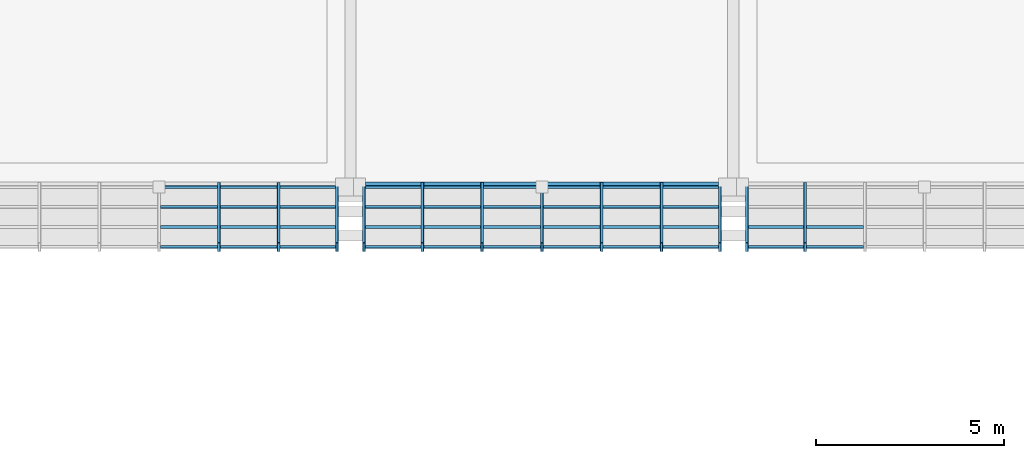
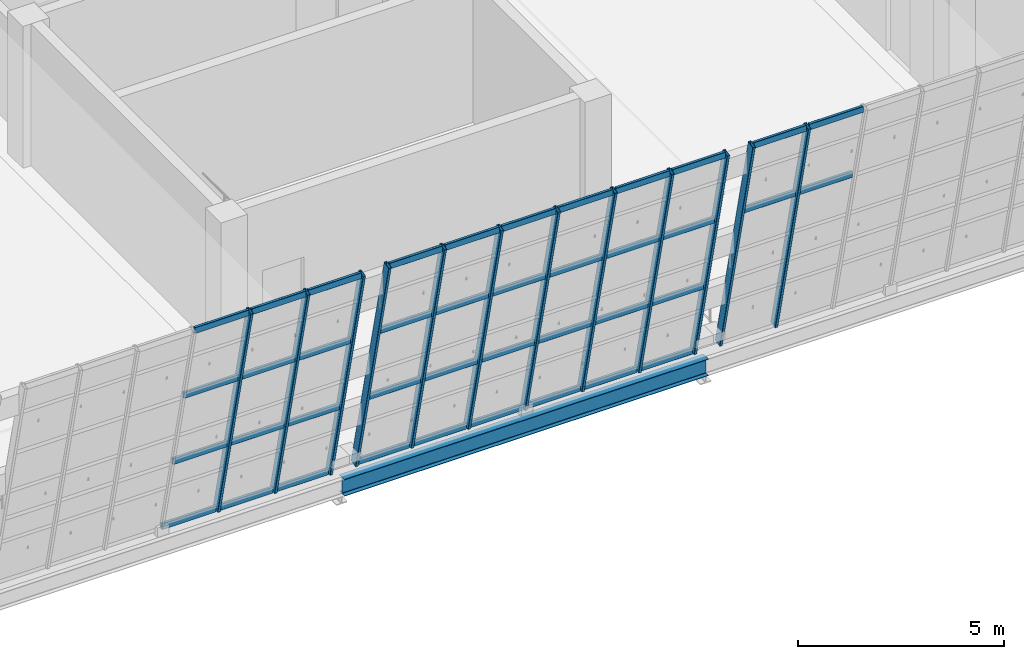
# One storey, part 63 of 157: 52 members, 1 beam, 3 elements without a shape of their own.
"""IFC4 building model written with IfcOpenShell, lengths in metres."""

from ifc_helpers import new_model, si_unit, direction, frame, origin, origin_2d, place, context, subcontext, project, spatial, hollow_rectangle, i_section, extrude, material, material_profile, profile_set, type_object, element, aggregate, save


model = new_model("IFC4")

# Units and contexts
model_context = context("Model", 3, precision=1e-05, world=origin(), true_north=direction((0.0, 1.0)))
body_context = subcontext(model_context, "Body", "Model", "MODEL_VIEW")
ifc_project = project(units=[si_unit("LENGTHUNIT", "METRE"), si_unit("AREAUNIT", "SQUARE_METRE"), si_unit("VOLUMEUNIT", "CUBIC_METRE"), si_unit("PLANEANGLEUNIT", "RADIAN"), si_unit("MASSUNIT", "GRAM", prefix="KILO")], contexts=[model_context])

# Site, building, storey
site_placement = place(None, origin())
site = spatial("IfcSite", under=ifc_project, at=site_placement, CompositionType="ELEMENT")
building_placement = place(site_placement, origin())
building = spatial("IfcBuilding", under=site, at=building_placement, Name="Brelvane Convention Centre", CompositionType="ELEMENT")
storey_placement = place(building_placement, frame((0.0, 0.0, 10.800048828125)))
storey = spatial("IfcBuildingStorey", under=building, at=storey_placement, Name="L02", CompositionType="ELEMENT", Elevation=10.800048828125)

# Curtain wall, members
ifc_material_1 = material(Name="Anodised Aluminium Alloy 6063-T6", Category="aluminium")
curtain_wall_type = type_object("IfcCurtainWallType", Name="Curtain Wall CW-HULL-S", PredefinedType="USERDEFINED", material=ifc_material_1)
curtain_wall_1_placement = place(storey_placement, origin())
curtain_wall_1 = element("IfcCurtainWall", 1, at=curtain_wall_1_placement, inside=storey, type_object=curtain_wall_type, Name="Curtain Wall CW-HULL-S L02-HULL-S-L02-19", ObjectType="UNITISED", PredefinedType="USERDEFINED")
ifc_material_2 = material(Name="Anodised Aluminium Alloy 6063-T6", Category="aluminium")
ifc_material_profile_1 = material_profile(ifc_material_2, hollow_rectangle(XDim=0.080078125, YDim=0.239990234375, WallThickness=0.006103515625, InnerFilletRadius=0.006103515625, OuterFilletRadius=0.011962890625, at=origin_2d()), Name="ALU-M 240x80x6.0")
ifc_profile_set_1 = profile_set([ifc_material_profile_1], Name="Anodised Aluminium Alloy 6063-T6")
member_type_1 = type_object("IfcMemberType", Name="Curtain Mullion CW-M1", PredefinedType="MULLION", material=ifc_profile_set_1)
member_1_placement = place(storey_placement, frame((190.293212890625, 13.60009765625, 0.0), z_axis=(0.0, -0.228360410362, 0.973576665178), x_axis=(1.0, 0.0, 0.0)))
member_1 = element("IfcMember", 2, at=member_1_placement, type_object=member_type_1, Name="CW-HULL-S mullion 5", PredefinedType="MULLION", context=body_context, shape_type="SweptSolid", body=[
    extrude(hollow_rectangle(XDim=0.080078125, YDim=0.239990234375, WallThickness=0.006103515625, InnerFilletRadius=0.006103515625, OuterFilletRadius=0.011962890625, at=origin_2d()), origin(), (0.0, 0.0, 1.0), 7.03564453125),
])
member_2_placement = place(storey_placement, frame((191.88671875, 13.60009765625, 0.0), z_axis=(0.0, -0.228360410362, 0.973576665178), x_axis=(1.0, 0.0, 0.0)))
member_2 = element("IfcMember", 3, at=member_2_placement, type_object=member_type_1, Name="CW-HULL-S mullion 6", PredefinedType="MULLION", context=body_context, shape_type="SweptSolid", body=[
    extrude(hollow_rectangle(XDim=0.080078125, YDim=0.239990234375, WallThickness=0.006103515625, InnerFilletRadius=0.006103515625, OuterFilletRadius=0.011962890625, at=origin_2d()), origin(), (0.0, 0.0, 1.0), 7.03564453125),
])
member_3_placement = place(storey_placement, frame((193.43994140625, 13.60009765625, 0.0), z_axis=(0.0, -0.228360410362, 0.973576665178), x_axis=(1.0, 0.0, 0.0)))
member_3 = element("IfcMember", 4, at=member_3_placement, type_object=member_type_1, Name="CW-HULL-S mullion 7", PredefinedType="MULLION", context=body_context, shape_type="SweptSolid", body=[
    extrude(hollow_rectangle(XDim=0.080078125, YDim=0.239990234375, WallThickness=0.006103515625, InnerFilletRadius=0.006103515625, OuterFilletRadius=0.011962890625, at=origin_2d()), origin(), (0.0, 0.0, 1.0), 7.03564453125),
])

curtain_wall_2_placement = place(storey_placement, origin())
curtain_wall_2 = element("IfcCurtainWall", 5, at=curtain_wall_2_placement, inside=storey, type_object=curtain_wall_type, Name="Curtain Wall CW-HULL-S L02-HULL-S-L02-20", ObjectType="UNITISED", PredefinedType="USERDEFINED")
member_4_placement = place(storey_placement, frame((194.159912109375, 13.60009765625, 0.0), z_axis=(0.0, -0.228360410362, 0.973576665178), x_axis=(1.0, 0.0, 0.0)))
member_4 = element("IfcMember", 6, at=member_4_placement, type_object=member_type_1, Name="CW-HULL-S mullion 1", PredefinedType="MULLION", context=body_context, shape_type="SweptSolid", body=[
    extrude(hollow_rectangle(XDim=0.080078125, YDim=0.239990234375, WallThickness=0.006103515625, InnerFilletRadius=0.006103515625, OuterFilletRadius=0.011962890625, at=origin_2d()), origin(), (0.0, 0.0, 1.0), 7.03564453125),
])
member_5_placement = place(storey_placement, frame((195.71337890625, 13.60009765625, 0.0), z_axis=(0.0, -0.228360410362, 0.973576665178), x_axis=(1.0, 0.0, 0.0)))
member_5 = element("IfcMember", 7, at=member_5_placement, type_object=member_type_1, Name="CW-HULL-S mullion 2", PredefinedType="MULLION", context=body_context, shape_type="SweptSolid", body=[
    extrude(hollow_rectangle(XDim=0.080078125, YDim=0.239990234375, WallThickness=0.006103515625, InnerFilletRadius=0.006103515625, OuterFilletRadius=0.011962890625, at=origin_2d()), origin(), (0.0, 0.0, 1.0), 7.03564453125),
])
member_6_placement = place(storey_placement, frame((197.306640625, 13.60009765625, 0.0), z_axis=(0.0, -0.228360410362, 0.973576665178), x_axis=(1.0, 0.0, 0.0)))
member_6 = element("IfcMember", 8, at=member_6_placement, type_object=member_type_1, Name="CW-HULL-S mullion 3", PredefinedType="MULLION", context=body_context, shape_type="SweptSolid", body=[
    extrude(hollow_rectangle(XDim=0.080078125, YDim=0.239990234375, WallThickness=0.006103515625, InnerFilletRadius=0.006103515625, OuterFilletRadius=0.011962890625, at=origin_2d()), origin(), (0.0, 0.0, 1.0), 7.03564453125),
])
member_7_placement = place(storey_placement, frame((198.89990234375, 13.60009765625, 0.0), z_axis=(0.0, -0.228360410362, 0.973576665178), x_axis=(1.0, 0.0, 0.0)))
member_7 = element("IfcMember", 9, at=member_7_placement, type_object=member_type_1, Name="CW-HULL-S mullion 4", PredefinedType="MULLION", context=body_context, shape_type="SweptSolid", body=[
    extrude(hollow_rectangle(XDim=0.080078125, YDim=0.239990234375, WallThickness=0.006103515625, InnerFilletRadius=0.006103515625, OuterFilletRadius=0.011962890625, at=origin_2d()), origin(), (0.0, 0.0, 1.0), 7.03564453125),
])
member_8_placement = place(storey_placement, frame((200.493408203125, 13.60009765625, 0.0), z_axis=(0.0, -0.228360410362, 0.973576665178), x_axis=(1.0, 0.0, 0.0)))
member_8 = element("IfcMember", 10, at=member_8_placement, type_object=member_type_1, Name="CW-HULL-S mullion 5", PredefinedType="MULLION", context=body_context, shape_type="SweptSolid", body=[
    extrude(hollow_rectangle(XDim=0.080078125, YDim=0.239990234375, WallThickness=0.006103515625, InnerFilletRadius=0.006103515625, OuterFilletRadius=0.011962890625, at=origin_2d()), origin(), (0.0, 0.0, 1.0), 7.03564453125),
])
member_9_placement = place(storey_placement, frame((202.086669921875, 13.60009765625, 0.0), z_axis=(0.0, -0.228360410362, 0.973576665178), x_axis=(1.0, 0.0, 0.0)))
member_9 = element("IfcMember", 11, at=member_9_placement, type_object=member_type_1, Name="CW-HULL-S mullion 6", PredefinedType="MULLION", context=body_context, shape_type="SweptSolid", body=[
    extrude(hollow_rectangle(XDim=0.080078125, YDim=0.239990234375, WallThickness=0.006103515625, InnerFilletRadius=0.006103515625, OuterFilletRadius=0.011962890625, at=origin_2d()), origin(), (0.0, 0.0, 1.0), 7.03564453125),
])
member_10_placement = place(storey_placement, frame((203.639892578125, 13.60009765625, 0.0), z_axis=(0.0, -0.228360410362, 0.973576665178), x_axis=(1.0, 0.0, 0.0)))
member_10 = element("IfcMember", 12, at=member_10_placement, type_object=member_type_1, Name="CW-HULL-S mullion 7", PredefinedType="MULLION", context=body_context, shape_type="SweptSolid", body=[
    extrude(hollow_rectangle(XDim=0.080078125, YDim=0.239990234375, WallThickness=0.006103515625, InnerFilletRadius=0.006103515625, OuterFilletRadius=0.011962890625, at=origin_2d()), origin(), (0.0, 0.0, 1.0), 7.03564453125),
])

curtain_wall_3_placement = place(storey_placement, origin())
curtain_wall_3 = element("IfcCurtainWall", 13, at=curtain_wall_3_placement, inside=storey, type_object=curtain_wall_type, Name="Curtain Wall CW-HULL-S L02-HULL-S-L02-21", ObjectType="UNITISED", PredefinedType="USERDEFINED")
member_11_placement = place(storey_placement, frame((204.360107421875, 13.60009765625, 0.0), z_axis=(0.0, -0.228360410362, 0.973576665178), x_axis=(1.0, 0.0, 0.0)))
member_11 = element("IfcMember", 14, at=member_11_placement, type_object=member_type_1, Name="CW-HULL-S mullion 1", PredefinedType="MULLION", context=body_context, shape_type="SweptSolid", body=[
    extrude(hollow_rectangle(XDim=0.080078125, YDim=0.239990234375, WallThickness=0.006103515625, InnerFilletRadius=0.006103515625, OuterFilletRadius=0.011962890625, at=origin_2d()), origin(), (0.0, 0.0, 1.0), 7.03564453125),
])
member_12_placement = place(storey_placement, frame((205.913330078125, 13.60009765625, 0.0), z_axis=(0.0, -0.228360410362, 0.973576665178), x_axis=(1.0, 0.0, 0.0)))
member_12 = element("IfcMember", 15, at=member_12_placement, type_object=member_type_1, Name="CW-HULL-S mullion 2", PredefinedType="MULLION", context=body_context, shape_type="SweptSolid", body=[
    extrude(hollow_rectangle(XDim=0.080078125, YDim=0.239990234375, WallThickness=0.006103515625, InnerFilletRadius=0.006103515625, OuterFilletRadius=0.011962890625, at=origin_2d()), origin(), (0.0, 0.0, 1.0), 7.03564453125),
])

# Member
ifc_material_3 = material(Name="Anodised Aluminium Alloy 6063-T6", Category="aluminium")
ifc_material_profile_2 = material_profile(ifc_material_3, hollow_rectangle(XDim=0.080078125, YDim=0.179931640625, WallThickness=0.0048828125, InnerFilletRadius=0.0048828125, OuterFilletRadius=0.010009765625, at=origin_2d()), Name="ALU-T 180x80x5.0")
ifc_profile_set_2 = profile_set([ifc_material_profile_2], Name="Anodised Aluminium Alloy 6063-T6")
member_type_2 = type_object("IfcMemberType", Name="Curtain Transom CW-T1", PredefinedType="USERDEFINED", material=ifc_profile_set_2)
member_13_placement = place(storey_placement, frame((188.739990234375, 13.590576171875, 0.0400390625), z_axis=(1.0, 0.0, 0.0), x_axis=(0.0, 1.0, 0.0)))
member_13 = element("IfcMember", 16, at=member_13_placement, type_object=member_type_2, Name="CW-HULL-S transom 4.1", ObjectType="TRANSOM", PredefinedType="USERDEFINED", context=body_context, shape_type="SweptSolid", body=[
    extrude(hollow_rectangle(XDim=0.080078125, YDim=0.179931640625, WallThickness=0.0048828125, InnerFilletRadius=0.0048828125, OuterFilletRadius=0.010009765625, at=origin_2d()), origin(), (0.0, 0.0, 1.0), 1.513427734375),
])

member_14_placement = place(storey_placement, frame((188.739990234375, 13.064453125, 2.283203125), z_axis=(1.0, 0.0, 0.0), x_axis=(0.0, 1.0, 0.0)))
member_14 = element("IfcMember", 17, at=member_14_placement, type_object=member_type_2, Name="CW-HULL-S transom 4.2", ObjectType="TRANSOM", PredefinedType="USERDEFINED", context=body_context, shape_type="SweptSolid", body=[
    extrude(hollow_rectangle(XDim=0.080078125, YDim=0.179931640625, WallThickness=0.0048828125, InnerFilletRadius=0.0048828125, OuterFilletRadius=0.010009765625, at=origin_2d()), origin(), (0.0, 0.0, 1.0), 1.513427734375),
])

member_15_placement = place(storey_placement, frame((188.739990234375, 12.52880859375, 4.566650390625), z_axis=(1.0, 0.0, 0.0), x_axis=(0.0, 1.0, 0.0)))
member_15 = element("IfcMember", 18, at=member_15_placement, type_object=member_type_2, Name="CW-HULL-S transom 4.3", ObjectType="TRANSOM", PredefinedType="USERDEFINED", context=body_context, shape_type="SweptSolid", body=[
    extrude(hollow_rectangle(XDim=0.080078125, YDim=0.179931640625, WallThickness=0.0048828125, InnerFilletRadius=0.0048828125, OuterFilletRadius=0.010009765625, at=origin_2d()), origin(), (0.0, 0.0, 1.0), 1.513427734375),
])

member_16_placement = place(storey_placement, frame((188.739990234375, 12.002685546875, 6.81005859375), z_axis=(1.0, 0.0, 0.0), x_axis=(0.0, 1.0, 0.0)))
member_16 = element("IfcMember", 19, at=member_16_placement, type_object=member_type_2, Name="CW-HULL-S transom 4.4", ObjectType="TRANSOM", PredefinedType="USERDEFINED", context=body_context, shape_type="SweptSolid", body=[
    extrude(hollow_rectangle(XDim=0.080078125, YDim=0.179931640625, WallThickness=0.0048828125, InnerFilletRadius=0.0048828125, OuterFilletRadius=0.010009765625, at=origin_2d()), origin(), (0.0, 0.0, 1.0), 1.513427734375),
])

member_17_placement = place(storey_placement, frame((190.333251953125, 13.590576171875, 0.0400390625), z_axis=(1.0, 0.0, 0.0), x_axis=(0.0, 1.0, 0.0)))
member_17 = element("IfcMember", 20, at=member_17_placement, type_object=member_type_2, Name="CW-HULL-S transom 5.1", ObjectType="TRANSOM", PredefinedType="USERDEFINED", context=body_context, shape_type="SweptSolid", body=[
    extrude(hollow_rectangle(XDim=0.080078125, YDim=0.179931640625, WallThickness=0.0048828125, InnerFilletRadius=0.0048828125, OuterFilletRadius=0.010009765625, at=origin_2d()), origin(), (0.0, 0.0, 1.0), 1.513427734375),
])

member_18_placement = place(storey_placement, frame((190.333251953125, 13.064453125, 2.283203125), z_axis=(1.0, 0.0, 0.0), x_axis=(0.0, 1.0, 0.0)))
member_18 = element("IfcMember", 21, at=member_18_placement, type_object=member_type_2, Name="CW-HULL-S transom 5.2", ObjectType="TRANSOM", PredefinedType="USERDEFINED", context=body_context, shape_type="SweptSolid", body=[
    extrude(hollow_rectangle(XDim=0.080078125, YDim=0.179931640625, WallThickness=0.0048828125, InnerFilletRadius=0.0048828125, OuterFilletRadius=0.010009765625, at=origin_2d()), origin(), (0.0, 0.0, 1.0), 1.513427734375),
])

member_19_placement = place(storey_placement, frame((190.333251953125, 12.52880859375, 4.566650390625), z_axis=(1.0, 0.0, 0.0), x_axis=(0.0, 1.0, 0.0)))
member_19 = element("IfcMember", 22, at=member_19_placement, type_object=member_type_2, Name="CW-HULL-S transom 5.3", ObjectType="TRANSOM", PredefinedType="USERDEFINED", context=body_context, shape_type="SweptSolid", body=[
    extrude(hollow_rectangle(XDim=0.080078125, YDim=0.179931640625, WallThickness=0.0048828125, InnerFilletRadius=0.0048828125, OuterFilletRadius=0.010009765625, at=origin_2d()), origin(), (0.0, 0.0, 1.0), 1.513427734375),
])

member_20_placement = place(storey_placement, frame((190.333251953125, 12.002685546875, 6.81005859375), z_axis=(1.0, 0.0, 0.0), x_axis=(0.0, 1.0, 0.0)))
member_20 = element("IfcMember", 23, at=member_20_placement, type_object=member_type_2, Name="CW-HULL-S transom 5.4", ObjectType="TRANSOM", PredefinedType="USERDEFINED", context=body_context, shape_type="SweptSolid", body=[
    extrude(hollow_rectangle(XDim=0.080078125, YDim=0.179931640625, WallThickness=0.0048828125, InnerFilletRadius=0.0048828125, OuterFilletRadius=0.010009765625, at=origin_2d()), origin(), (0.0, 0.0, 1.0), 1.513427734375),
])

member_21_placement = place(storey_placement, frame((191.9267578125, 13.590576171875, 0.0400390625), z_axis=(1.0, 0.0, 0.0), x_axis=(0.0, 1.0, 0.0)))
member_21 = element("IfcMember", 24, at=member_21_placement, type_object=member_type_2, Name="CW-HULL-S transom 6.1", ObjectType="TRANSOM", PredefinedType="USERDEFINED", context=body_context, shape_type="SweptSolid", body=[
    extrude(hollow_rectangle(XDim=0.080078125, YDim=0.179931640625, WallThickness=0.0048828125, InnerFilletRadius=0.0048828125, OuterFilletRadius=0.010009765625, at=origin_2d()), origin(), (0.0, 0.0, 1.0), 1.47314453125),
])

member_22_placement = place(storey_placement, frame((191.9267578125, 13.064453125, 2.283203125), z_axis=(1.0, 0.0, 0.0), x_axis=(0.0, 1.0, 0.0)))
member_22 = element("IfcMember", 25, at=member_22_placement, type_object=member_type_2, Name="CW-HULL-S transom 6.2", ObjectType="TRANSOM", PredefinedType="USERDEFINED", context=body_context, shape_type="SweptSolid", body=[
    extrude(hollow_rectangle(XDim=0.080078125, YDim=0.179931640625, WallThickness=0.0048828125, InnerFilletRadius=0.0048828125, OuterFilletRadius=0.010009765625, at=origin_2d()), origin(), (0.0, 0.0, 1.0), 1.47314453125),
])

member_23_placement = place(storey_placement, frame((191.9267578125, 12.52880859375, 4.566650390625), z_axis=(1.0, 0.0, 0.0), x_axis=(0.0, 1.0, 0.0)))
member_23 = element("IfcMember", 26, at=member_23_placement, type_object=member_type_2, Name="CW-HULL-S transom 6.3", ObjectType="TRANSOM", PredefinedType="USERDEFINED", context=body_context, shape_type="SweptSolid", body=[
    extrude(hollow_rectangle(XDim=0.080078125, YDim=0.179931640625, WallThickness=0.0048828125, InnerFilletRadius=0.0048828125, OuterFilletRadius=0.010009765625, at=origin_2d()), origin(), (0.0, 0.0, 1.0), 1.47314453125),
])

member_24_placement = place(storey_placement, frame((191.9267578125, 12.002685546875, 6.81005859375), z_axis=(1.0, 0.0, 0.0), x_axis=(0.0, 1.0, 0.0)))
member_24 = element("IfcMember", 27, at=member_24_placement, type_object=member_type_2, Name="CW-HULL-S transom 6.4", ObjectType="TRANSOM", PredefinedType="USERDEFINED", context=body_context, shape_type="SweptSolid", body=[
    extrude(hollow_rectangle(XDim=0.080078125, YDim=0.179931640625, WallThickness=0.0048828125, InnerFilletRadius=0.0048828125, OuterFilletRadius=0.010009765625, at=origin_2d()), origin(), (0.0, 0.0, 1.0), 1.47314453125),
])

aggregate(curtain_wall_1, [member_1, member_2, member_3, member_13, member_14, member_15, member_16, member_17, member_18, member_19, member_20, member_21, member_22, member_23, member_24])

member_25_placement = place(storey_placement, frame((194.199951171875, 13.590576171875, 0.0400390625), z_axis=(1.0, 0.0, 0.0), x_axis=(0.0, 1.0, 0.0)))
member_25 = element("IfcMember", 28, at=member_25_placement, type_object=member_type_2, Name="CW-HULL-S transom 1.1", ObjectType="TRANSOM", PredefinedType="USERDEFINED", context=body_context, shape_type="SweptSolid", body=[
    extrude(hollow_rectangle(XDim=0.080078125, YDim=0.179931640625, WallThickness=0.0048828125, InnerFilletRadius=0.0048828125, OuterFilletRadius=0.010009765625, at=origin_2d()), origin(), (0.0, 0.0, 1.0), 1.473388671875),
])

member_26_placement = place(storey_placement, frame((194.199951171875, 13.064453125, 2.283203125), z_axis=(1.0, 0.0, 0.0), x_axis=(0.0, 1.0, 0.0)))
member_26 = element("IfcMember", 29, at=member_26_placement, type_object=member_type_2, Name="CW-HULL-S transom 1.2", ObjectType="TRANSOM", PredefinedType="USERDEFINED", context=body_context, shape_type="SweptSolid", body=[
    extrude(hollow_rectangle(XDim=0.080078125, YDim=0.179931640625, WallThickness=0.0048828125, InnerFilletRadius=0.0048828125, OuterFilletRadius=0.010009765625, at=origin_2d()), origin(), (0.0, 0.0, 1.0), 1.473388671875),
])

member_27_placement = place(storey_placement, frame((194.199951171875, 12.52880859375, 4.566650390625), z_axis=(1.0, 0.0, 0.0), x_axis=(0.0, 1.0, 0.0)))
member_27 = element("IfcMember", 30, at=member_27_placement, type_object=member_type_2, Name="CW-HULL-S transom 1.3", ObjectType="TRANSOM", PredefinedType="USERDEFINED", context=body_context, shape_type="SweptSolid", body=[
    extrude(hollow_rectangle(XDim=0.080078125, YDim=0.179931640625, WallThickness=0.0048828125, InnerFilletRadius=0.0048828125, OuterFilletRadius=0.010009765625, at=origin_2d()), origin(), (0.0, 0.0, 1.0), 1.473388671875),
])

member_28_placement = place(storey_placement, frame((194.199951171875, 12.002685546875, 6.81005859375), z_axis=(1.0, 0.0, 0.0), x_axis=(0.0, 1.0, 0.0)))
member_28 = element("IfcMember", 31, at=member_28_placement, type_object=member_type_2, Name="CW-HULL-S transom 1.4", ObjectType="TRANSOM", PredefinedType="USERDEFINED", context=body_context, shape_type="SweptSolid", body=[
    extrude(hollow_rectangle(XDim=0.080078125, YDim=0.179931640625, WallThickness=0.0048828125, InnerFilletRadius=0.0048828125, OuterFilletRadius=0.010009765625, at=origin_2d()), origin(), (0.0, 0.0, 1.0), 1.473388671875),
])

member_29_placement = place(storey_placement, frame((195.75341796875, 13.590576171875, 0.0400390625), z_axis=(1.0, 0.0, 0.0), x_axis=(0.0, 1.0, 0.0)))
member_29 = element("IfcMember", 32, at=member_29_placement, type_object=member_type_2, Name="CW-HULL-S transom 2.1", ObjectType="TRANSOM", PredefinedType="USERDEFINED", context=body_context, shape_type="SweptSolid", body=[
    extrude(hollow_rectangle(XDim=0.080078125, YDim=0.179931640625, WallThickness=0.0048828125, InnerFilletRadius=0.0048828125, OuterFilletRadius=0.010009765625, at=origin_2d()), origin(), (0.0, 0.0, 1.0), 1.51318359375),
])

member_30_placement = place(storey_placement, frame((195.75341796875, 13.064453125, 2.283203125), z_axis=(1.0, 0.0, 0.0), x_axis=(0.0, 1.0, 0.0)))
member_30 = element("IfcMember", 33, at=member_30_placement, type_object=member_type_2, Name="CW-HULL-S transom 2.2", ObjectType="TRANSOM", PredefinedType="USERDEFINED", context=body_context, shape_type="SweptSolid", body=[
    extrude(hollow_rectangle(XDim=0.080078125, YDim=0.179931640625, WallThickness=0.0048828125, InnerFilletRadius=0.0048828125, OuterFilletRadius=0.010009765625, at=origin_2d()), origin(), (0.0, 0.0, 1.0), 1.51318359375),
])

member_31_placement = place(storey_placement, frame((195.75341796875, 12.52880859375, 4.566650390625), z_axis=(1.0, 0.0, 0.0), x_axis=(0.0, 1.0, 0.0)))
member_31 = element("IfcMember", 34, at=member_31_placement, type_object=member_type_2, Name="CW-HULL-S transom 2.3", ObjectType="TRANSOM", PredefinedType="USERDEFINED", context=body_context, shape_type="SweptSolid", body=[
    extrude(hollow_rectangle(XDim=0.080078125, YDim=0.179931640625, WallThickness=0.0048828125, InnerFilletRadius=0.0048828125, OuterFilletRadius=0.010009765625, at=origin_2d()), origin(), (0.0, 0.0, 1.0), 1.51318359375),
])

member_32_placement = place(storey_placement, frame((195.75341796875, 12.002685546875, 6.81005859375), z_axis=(1.0, 0.0, 0.0), x_axis=(0.0, 1.0, 0.0)))
member_32 = element("IfcMember", 35, at=member_32_placement, type_object=member_type_2, Name="CW-HULL-S transom 2.4", ObjectType="TRANSOM", PredefinedType="USERDEFINED", context=body_context, shape_type="SweptSolid", body=[
    extrude(hollow_rectangle(XDim=0.080078125, YDim=0.179931640625, WallThickness=0.0048828125, InnerFilletRadius=0.0048828125, OuterFilletRadius=0.010009765625, at=origin_2d()), origin(), (0.0, 0.0, 1.0), 1.51318359375),
])

member_33_placement = place(storey_placement, frame((197.3466796875, 13.590576171875, 0.0400390625), z_axis=(1.0, 0.0, 0.0), x_axis=(0.0, 1.0, 0.0)))
member_33 = element("IfcMember", 36, at=member_33_placement, type_object=member_type_2, Name="CW-HULL-S transom 3.1", ObjectType="TRANSOM", PredefinedType="USERDEFINED", context=body_context, shape_type="SweptSolid", body=[
    extrude(hollow_rectangle(XDim=0.080078125, YDim=0.179931640625, WallThickness=0.0048828125, InnerFilletRadius=0.0048828125, OuterFilletRadius=0.010009765625, at=origin_2d()), origin(), (0.0, 0.0, 1.0), 1.513427734375),
])

member_34_placement = place(storey_placement, frame((197.3466796875, 13.064453125, 2.283203125), z_axis=(1.0, 0.0, 0.0), x_axis=(0.0, 1.0, 0.0)))
member_34 = element("IfcMember", 37, at=member_34_placement, type_object=member_type_2, Name="CW-HULL-S transom 3.2", ObjectType="TRANSOM", PredefinedType="USERDEFINED", context=body_context, shape_type="SweptSolid", body=[
    extrude(hollow_rectangle(XDim=0.080078125, YDim=0.179931640625, WallThickness=0.0048828125, InnerFilletRadius=0.0048828125, OuterFilletRadius=0.010009765625, at=origin_2d()), origin(), (0.0, 0.0, 1.0), 1.513427734375),
])

member_35_placement = place(storey_placement, frame((197.3466796875, 12.52880859375, 4.566650390625), z_axis=(1.0, 0.0, 0.0), x_axis=(0.0, 1.0, 0.0)))
member_35 = element("IfcMember", 38, at=member_35_placement, type_object=member_type_2, Name="CW-HULL-S transom 3.3", ObjectType="TRANSOM", PredefinedType="USERDEFINED", context=body_context, shape_type="SweptSolid", body=[
    extrude(hollow_rectangle(XDim=0.080078125, YDim=0.179931640625, WallThickness=0.0048828125, InnerFilletRadius=0.0048828125, OuterFilletRadius=0.010009765625, at=origin_2d()), origin(), (0.0, 0.0, 1.0), 1.513427734375),
])

member_36_placement = place(storey_placement, frame((197.3466796875, 12.002685546875, 6.81005859375), z_axis=(1.0, 0.0, 0.0), x_axis=(0.0, 1.0, 0.0)))
member_36 = element("IfcMember", 39, at=member_36_placement, type_object=member_type_2, Name="CW-HULL-S transom 3.4", ObjectType="TRANSOM", PredefinedType="USERDEFINED", context=body_context, shape_type="SweptSolid", body=[
    extrude(hollow_rectangle(XDim=0.080078125, YDim=0.179931640625, WallThickness=0.0048828125, InnerFilletRadius=0.0048828125, OuterFilletRadius=0.010009765625, at=origin_2d()), origin(), (0.0, 0.0, 1.0), 1.513427734375),
])

member_37_placement = place(storey_placement, frame((198.93994140625, 13.590576171875, 0.0400390625), z_axis=(1.0, 0.0, 0.0), x_axis=(0.0, 1.0, 0.0)))
member_37 = element("IfcMember", 40, at=member_37_placement, type_object=member_type_2, Name="CW-HULL-S transom 4.1", ObjectType="TRANSOM", PredefinedType="USERDEFINED", context=body_context, shape_type="SweptSolid", body=[
    extrude(hollow_rectangle(XDim=0.080078125, YDim=0.179931640625, WallThickness=0.0048828125, InnerFilletRadius=0.0048828125, OuterFilletRadius=0.010009765625, at=origin_2d()), origin(), (0.0, 0.0, 1.0), 1.513427734375),
])

member_38_placement = place(storey_placement, frame((198.93994140625, 13.064453125, 2.283203125), z_axis=(1.0, 0.0, 0.0), x_axis=(0.0, 1.0, 0.0)))
member_38 = element("IfcMember", 41, at=member_38_placement, type_object=member_type_2, Name="CW-HULL-S transom 4.2", ObjectType="TRANSOM", PredefinedType="USERDEFINED", context=body_context, shape_type="SweptSolid", body=[
    extrude(hollow_rectangle(XDim=0.080078125, YDim=0.179931640625, WallThickness=0.0048828125, InnerFilletRadius=0.0048828125, OuterFilletRadius=0.010009765625, at=origin_2d()), origin(), (0.0, 0.0, 1.0), 1.513427734375),
])

member_39_placement = place(storey_placement, frame((198.93994140625, 12.52880859375, 4.566650390625), z_axis=(1.0, 0.0, 0.0), x_axis=(0.0, 1.0, 0.0)))
member_39 = element("IfcMember", 42, at=member_39_placement, type_object=member_type_2, Name="CW-HULL-S transom 4.3", ObjectType="TRANSOM", PredefinedType="USERDEFINED", context=body_context, shape_type="SweptSolid", body=[
    extrude(hollow_rectangle(XDim=0.080078125, YDim=0.179931640625, WallThickness=0.0048828125, InnerFilletRadius=0.0048828125, OuterFilletRadius=0.010009765625, at=origin_2d()), origin(), (0.0, 0.0, 1.0), 1.513427734375),
])

member_40_placement = place(storey_placement, frame((198.93994140625, 12.002685546875, 6.81005859375), z_axis=(1.0, 0.0, 0.0), x_axis=(0.0, 1.0, 0.0)))
member_40 = element("IfcMember", 43, at=member_40_placement, type_object=member_type_2, Name="CW-HULL-S transom 4.4", ObjectType="TRANSOM", PredefinedType="USERDEFINED", context=body_context, shape_type="SweptSolid", body=[
    extrude(hollow_rectangle(XDim=0.080078125, YDim=0.179931640625, WallThickness=0.0048828125, InnerFilletRadius=0.0048828125, OuterFilletRadius=0.010009765625, at=origin_2d()), origin(), (0.0, 0.0, 1.0), 1.513427734375),
])

member_41_placement = place(storey_placement, frame((200.533447265625, 13.590576171875, 0.0400390625), z_axis=(1.0, 0.0, 0.0), x_axis=(0.0, 1.0, 0.0)))
member_41 = element("IfcMember", 44, at=member_41_placement, type_object=member_type_2, Name="CW-HULL-S transom 5.1", ObjectType="TRANSOM", PredefinedType="USERDEFINED", context=body_context, shape_type="SweptSolid", body=[
    extrude(hollow_rectangle(XDim=0.080078125, YDim=0.179931640625, WallThickness=0.0048828125, InnerFilletRadius=0.0048828125, OuterFilletRadius=0.010009765625, at=origin_2d()), origin(), (0.0, 0.0, 1.0), 1.51318359375),
])

member_42_placement = place(storey_placement, frame((200.533447265625, 13.064453125, 2.283203125), z_axis=(1.0, 0.0, 0.0), x_axis=(0.0, 1.0, 0.0)))
member_42 = element("IfcMember", 45, at=member_42_placement, type_object=member_type_2, Name="CW-HULL-S transom 5.2", ObjectType="TRANSOM", PredefinedType="USERDEFINED", context=body_context, shape_type="SweptSolid", body=[
    extrude(hollow_rectangle(XDim=0.080078125, YDim=0.179931640625, WallThickness=0.0048828125, InnerFilletRadius=0.0048828125, OuterFilletRadius=0.010009765625, at=origin_2d()), origin(), (0.0, 0.0, 1.0), 1.51318359375),
])

member_43_placement = place(storey_placement, frame((200.533447265625, 12.52880859375, 4.566650390625), z_axis=(1.0, 0.0, 0.0), x_axis=(0.0, 1.0, 0.0)))
member_43 = element("IfcMember", 46, at=member_43_placement, type_object=member_type_2, Name="CW-HULL-S transom 5.3", ObjectType="TRANSOM", PredefinedType="USERDEFINED", context=body_context, shape_type="SweptSolid", body=[
    extrude(hollow_rectangle(XDim=0.080078125, YDim=0.179931640625, WallThickness=0.0048828125, InnerFilletRadius=0.0048828125, OuterFilletRadius=0.010009765625, at=origin_2d()), origin(), (0.0, 0.0, 1.0), 1.51318359375),
])

member_44_placement = place(storey_placement, frame((200.533447265625, 12.002685546875, 6.81005859375), z_axis=(1.0, 0.0, 0.0), x_axis=(0.0, 1.0, 0.0)))
member_44 = element("IfcMember", 47, at=member_44_placement, type_object=member_type_2, Name="CW-HULL-S transom 5.4", ObjectType="TRANSOM", PredefinedType="USERDEFINED", context=body_context, shape_type="SweptSolid", body=[
    extrude(hollow_rectangle(XDim=0.080078125, YDim=0.179931640625, WallThickness=0.0048828125, InnerFilletRadius=0.0048828125, OuterFilletRadius=0.010009765625, at=origin_2d()), origin(), (0.0, 0.0, 1.0), 1.51318359375),
])

member_45_placement = place(storey_placement, frame((202.126708984375, 13.590576171875, 0.0400390625), z_axis=(1.0, 0.0, 0.0), x_axis=(0.0, 1.0, 0.0)))
member_45 = element("IfcMember", 48, at=member_45_placement, type_object=member_type_2, Name="CW-HULL-S transom 6.1", ObjectType="TRANSOM", PredefinedType="USERDEFINED", context=body_context, shape_type="SweptSolid", body=[
    extrude(hollow_rectangle(XDim=0.080078125, YDim=0.179931640625, WallThickness=0.0048828125, InnerFilletRadius=0.0048828125, OuterFilletRadius=0.010009765625, at=origin_2d()), origin(), (0.0, 0.0, 1.0), 1.473388671875),
])

member_46_placement = place(storey_placement, frame((202.126708984375, 13.064453125, 2.283203125), z_axis=(1.0, 0.0, 0.0), x_axis=(0.0, 1.0, 0.0)))
member_46 = element("IfcMember", 49, at=member_46_placement, type_object=member_type_2, Name="CW-HULL-S transom 6.2", ObjectType="TRANSOM", PredefinedType="USERDEFINED", context=body_context, shape_type="SweptSolid", body=[
    extrude(hollow_rectangle(XDim=0.080078125, YDim=0.179931640625, WallThickness=0.0048828125, InnerFilletRadius=0.0048828125, OuterFilletRadius=0.010009765625, at=origin_2d()), origin(), (0.0, 0.0, 1.0), 1.473388671875),
])

member_47_placement = place(storey_placement, frame((202.126708984375, 12.52880859375, 4.566650390625), z_axis=(1.0, 0.0, 0.0), x_axis=(0.0, 1.0, 0.0)))
member_47 = element("IfcMember", 50, at=member_47_placement, type_object=member_type_2, Name="CW-HULL-S transom 6.3", ObjectType="TRANSOM", PredefinedType="USERDEFINED", context=body_context, shape_type="SweptSolid", body=[
    extrude(hollow_rectangle(XDim=0.080078125, YDim=0.179931640625, WallThickness=0.0048828125, InnerFilletRadius=0.0048828125, OuterFilletRadius=0.010009765625, at=origin_2d()), origin(), (0.0, 0.0, 1.0), 1.473388671875),
])

member_48_placement = place(storey_placement, frame((202.126708984375, 12.002685546875, 6.81005859375), z_axis=(1.0, 0.0, 0.0), x_axis=(0.0, 1.0, 0.0)))
member_48 = element("IfcMember", 51, at=member_48_placement, type_object=member_type_2, Name="CW-HULL-S transom 6.4", ObjectType="TRANSOM", PredefinedType="USERDEFINED", context=body_context, shape_type="SweptSolid", body=[
    extrude(hollow_rectangle(XDim=0.080078125, YDim=0.179931640625, WallThickness=0.0048828125, InnerFilletRadius=0.0048828125, OuterFilletRadius=0.010009765625, at=origin_2d()), origin(), (0.0, 0.0, 1.0), 1.473388671875),
])

aggregate(curtain_wall_2, [member_4, member_5, member_6, member_7, member_8, member_9, member_10, member_25, member_26, member_27, member_28, member_29, member_30, member_31, member_32, member_33, member_34, member_35, member_36, member_37, member_38, member_39, member_40, member_41, member_42, member_43, member_44, member_45, member_46, member_47, member_48])

member_49_placement = place(storey_placement, frame((204.39990234375, 12.52880859375, 4.566650390625), z_axis=(1.0, 0.0, 0.0), x_axis=(0.0, 1.0, 0.0)))
member_49 = element("IfcMember", 52, at=member_49_placement, type_object=member_type_2, Name="CW-HULL-S transom 1.3", ObjectType="TRANSOM", PredefinedType="USERDEFINED", context=body_context, shape_type="SweptSolid", body=[
    extrude(hollow_rectangle(XDim=0.080078125, YDim=0.179931640625, WallThickness=0.0048828125, InnerFilletRadius=0.0048828125, OuterFilletRadius=0.010009765625, at=origin_2d()), origin(), (0.0, 0.0, 1.0), 1.473388671875),
])

member_50_placement = place(storey_placement, frame((204.39990234375, 12.002685546875, 6.81005859375), z_axis=(1.0, 0.0, 0.0), x_axis=(0.0, 1.0, 0.0)))
member_50 = element("IfcMember", 53, at=member_50_placement, type_object=member_type_2, Name="CW-HULL-S transom 1.4", ObjectType="TRANSOM", PredefinedType="USERDEFINED", context=body_context, shape_type="SweptSolid", body=[
    extrude(hollow_rectangle(XDim=0.080078125, YDim=0.179931640625, WallThickness=0.0048828125, InnerFilletRadius=0.0048828125, OuterFilletRadius=0.010009765625, at=origin_2d()), origin(), (0.0, 0.0, 1.0), 1.473388671875),
])

member_51_placement = place(storey_placement, frame((205.953369140625, 12.52880859375, 4.566650390625), z_axis=(1.0, 0.0, 0.0), x_axis=(0.0, 1.0, 0.0)))
member_51 = element("IfcMember", 54, at=member_51_placement, type_object=member_type_2, Name="CW-HULL-S transom 2.3", ObjectType="TRANSOM", PredefinedType="USERDEFINED", context=body_context, shape_type="SweptSolid", body=[
    extrude(hollow_rectangle(XDim=0.080078125, YDim=0.179931640625, WallThickness=0.0048828125, InnerFilletRadius=0.0048828125, OuterFilletRadius=0.010009765625, at=origin_2d()), origin(), (0.0, 0.0, 1.0), 1.51318359375),
])

member_52_placement = place(storey_placement, frame((205.953369140625, 12.002685546875, 6.81005859375), z_axis=(1.0, 0.0, 0.0), x_axis=(0.0, 1.0, 0.0)))
member_52 = element("IfcMember", 55, at=member_52_placement, type_object=member_type_2, Name="CW-HULL-S transom 2.4", ObjectType="TRANSOM", PredefinedType="USERDEFINED", context=body_context, shape_type="SweptSolid", body=[
    extrude(hollow_rectangle(XDim=0.080078125, YDim=0.179931640625, WallThickness=0.0048828125, InnerFilletRadius=0.0048828125, OuterFilletRadius=0.010009765625, at=origin_2d()), origin(), (0.0, 0.0, 1.0), 1.51318359375),
])

aggregate(curtain_wall_3, [member_11, member_12, member_49, member_50, member_51, member_52])

# Beam
ifc_material_4 = material(Name="Steel E350 (350 MPa)", Category="steel")
ifc_material_profile_3 = material_profile(ifc_material_4, i_section(OverallWidth=0.25, OverallDepth=0.5, WebThickness=0.010009765625, FlangeThickness=0.0146484375, FilletRadius=0.01611328125, at=origin_2d()), Name="ISWB 500")
ifc_profile_set_3 = profile_set([ifc_material_profile_3], Name="Steel E350 (350 MPa)")
beam_type = type_object("IfcBeamType", Name="Steel Spandrel SP-ST1 (ISWB 500)", PredefinedType="SPANDREL", material=ifc_profile_set_3)
beam_placement = place(storey_placement, frame((193.800048828125, 13.60009765625, -0.530029296875), z_axis=(1.0, 0.0, 0.0), x_axis=(0.0, 1.0, 0.0)))
element("IfcBeam", 56, at=beam_placement, inside=storey, type_object=beam_type, Name="L02 Hull Overhang Edge Spandrel 20", PredefinedType="SPANDREL", context=body_context, shape_type="SweptSolid", body=[
    extrude(i_section(OverallWidth=0.25, OverallDepth=0.5, WebThickness=0.010009765625, FlangeThickness=0.0146484375, FilletRadius=0.01611328125, at=origin_2d()), origin(), (0.0, 0.0, 1.0), 10.199951171875),
])

save(model, "model.ifc")
